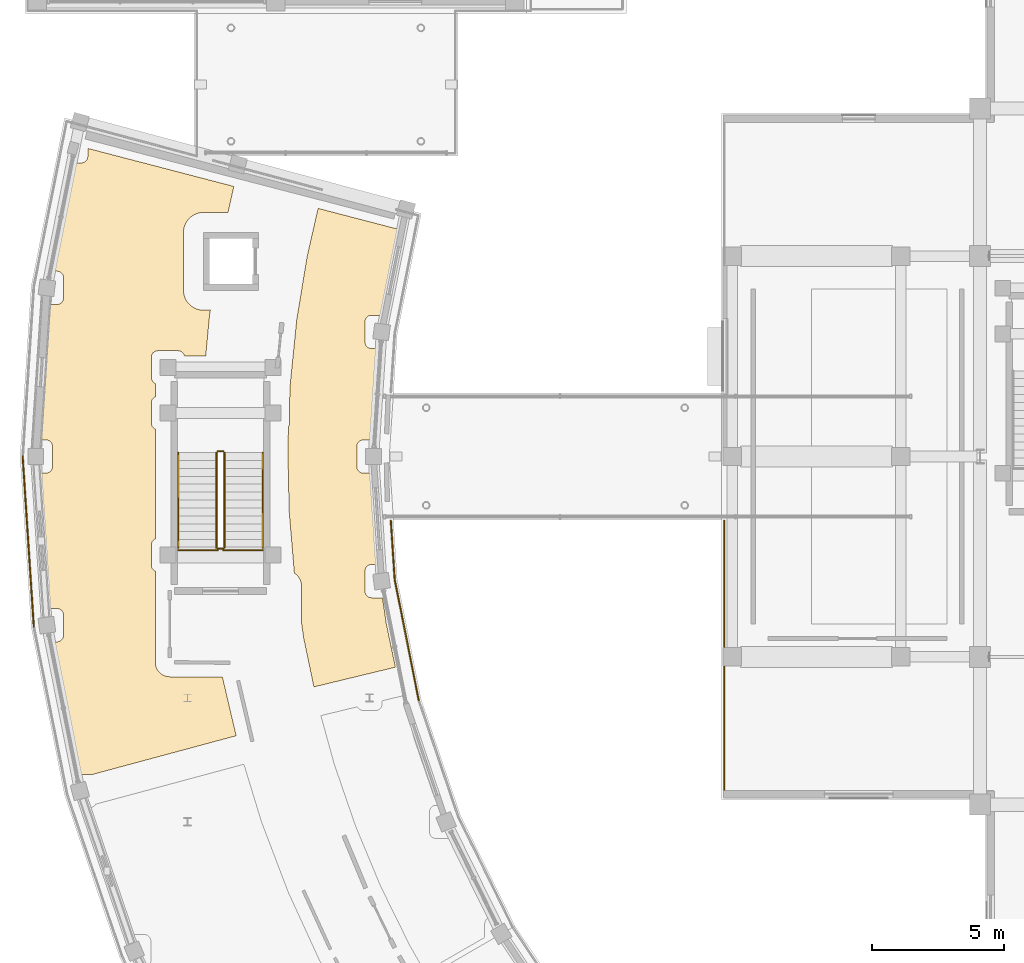
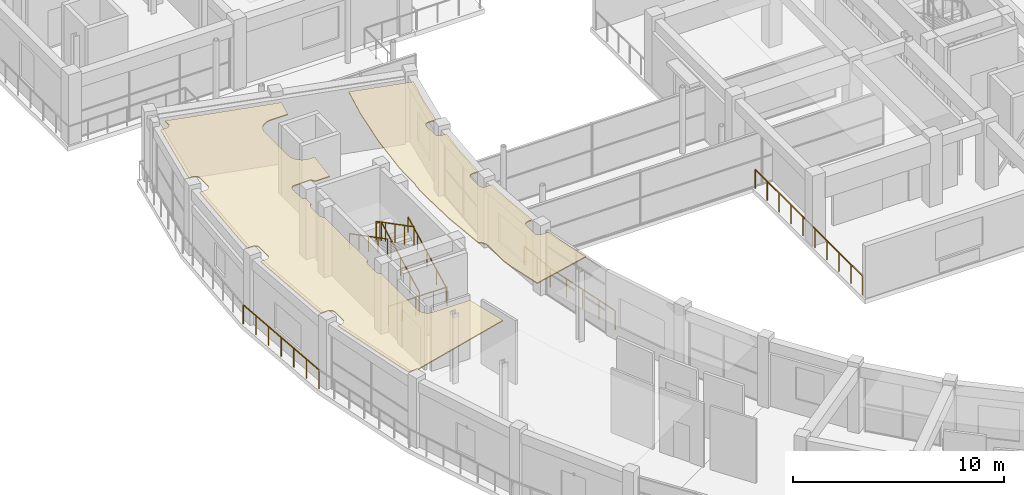
# One storey, part 59 of 70: 12 railings, 2 coverings.
"""IFC4 building model written with IfcOpenShell, lengths in metres."""

from ifc_helpers import new_model, si_unit, direction, frame, origin, origin_2d, place, context, subcontext, project, spatial, polyline, rectangle, outline, extrude, material, layer, layer_set, type_object, element, save


model = new_model("IFC4")

# Units and contexts
model_context = context("Model", 3, precision=1e-05, world=origin(), true_north=direction((0.0, 1.0)))
body_context = subcontext(model_context, "Body", "Model", "MODEL_VIEW")
ifc_project = project(units=[si_unit("LENGTHUNIT", "METRE"), si_unit("AREAUNIT", "SQUARE_METRE"), si_unit("VOLUMEUNIT", "CUBIC_METRE"), si_unit("PLANEANGLEUNIT", "RADIAN"), si_unit("MASSUNIT", "GRAM", prefix="KILO")], contexts=[model_context])

# Site, building, storey
site_placement = place(None, origin())
site = spatial("IfcSite", under=ifc_project, at=site_placement, CompositionType="ELEMENT")
building_placement = place(site_placement, origin())
building = spatial("IfcBuilding", under=site, at=building_placement, Name="Saryqyr Civic Hall", CompositionType="ELEMENT")
storey_placement = place(building_placement, frame((0.0, 0.0, 13.199951171875)))
storey = spatial("IfcBuildingStorey", under=building, at=storey_placement, Name="L03", CompositionType="ELEMENT", Elevation=13.199951171875)

# Coverings
ifc_material_1 = material(Name="Mineral-fibre acoustic ceiling tile", Category="acoustic_tile")
ifc_layer_1 = layer(ifc_material_1, 0.06005859375, Name="Mineral-fibre acoustic ceiling tile")
ifc_layer_set_1 = layer_set([ifc_layer_1], Name="Mineral-fibre acoustic ceiling tile")
covering_type = type_object("IfcCoveringType", Name="INT-COV-CEIL-60", PredefinedType="CEILING", material=ifc_layer_set_1)
covering_1_placement = place(storey_placement, frame((0.0, 0.0, 3.72998046875)))
element("IfcCovering", 1, at=covering_1_placement, inside=storey, type_object=covering_type, Name="Acoustic ceiling Transport & Mobility Department Studio", PredefinedType="CEILING", context=body_context, shape_type="SweptSolid", body=[
    extrude(outline(polyline([(12.53271484375, 76.146484375), (12.54052734375, 76.09326171875), (12.553466796875, 76.041259765625), (12.5712890625, 75.990478515625), (12.59423828125, 75.94189453125), (12.621826171875, 75.895751953125), (12.653564453125, 75.8525390625), (12.689453125, 75.812744140625), (12.72900390625, 75.7763671875), (12.772216796875, 75.744384765625), (12.818115234375, 75.71630859375), (12.866455078125, 75.693115234375), (12.9169921875, 75.6748046875), (12.968994140625, 75.661376953125), (13.02197265625, 75.653076171875), (13.075439453125, 75.64990234375), (15.078369140625, 75.6337890625), (15.085693359375, 75.589599609375), (15.0927734375, 75.5546875), (15.595947265625, 73.413330078125), (10.119384765625, 71.937744140625), (10.098388671875, 71.943115234375), (10.07421875, 71.94677734375), (10.049560546875, 71.947998046875), (9.595947265625, 71.947998046875), (9.467529296875, 72.49462890625), (8.67138671875, 76.496826171875), (8.59130859375, 76.97412109375), (8.79931640625, 76.97412109375), (8.82373046875, 76.975341796875), (8.847900390625, 76.97900390625), (8.871826171875, 76.985107421875), (8.89501953125, 76.9931640625), (8.9169921875, 77.003662109375), (8.93798828125, 77.016357421875), (8.957763671875, 77.031005859375), (8.97607421875, 77.04736328125), (8.992431640625, 77.065673828125), (9.007080078125, 77.085205078125), (9.019775390625, 77.1064453125), (9.0302734375, 77.12841796875), (9.038330078125, 77.151611328125), (9.04443359375, 77.17529296875), (9.048095703125, 77.19970703125), (9.04931640625, 77.22412109375), (9.04931640625, 77.984130859375), (9.048095703125, 78.0087890625), (9.04443359375, 78.032958984375), (9.038330078125, 78.056884765625), (9.0302734375, 78.079833984375), (9.019775390625, 78.10205078125), (9.007080078125, 78.123046875), (8.992431640625, 78.142822265625), (8.97607421875, 78.160888671875), (8.957763671875, 78.177490234375), (8.93798828125, 78.192138671875), (8.9169921875, 78.20458984375), (8.89501953125, 78.215087890625), (8.871826171875, 78.223388671875), (8.847900390625, 78.2294921875), (8.82373046875, 78.23291015625), (8.79931640625, 78.234130859375), (8.429931640625, 78.234130859375), (8.37158203125, 78.808837890625), (8.103515625, 82.900634765625), (8.086181640625, 83.3701171875), (8.3798828125, 83.3701171875), (8.404541015625, 83.37109375), (8.4287109375, 83.374755859375), (8.45263671875, 83.380859375), (8.4755859375, 83.388916015625), (8.497802734375, 83.3994140625), (8.518798828125, 83.412109375), (8.53857421875, 83.4267578125), (8.556884765625, 83.443115234375), (8.5732421875, 83.46142578125), (8.587890625, 83.481201171875), (8.6005859375, 83.502197265625), (8.611083984375, 83.5244140625), (8.619140625, 83.54736328125), (8.625244140625, 83.5712890625), (8.62890625, 83.595458984375), (8.6298828125, 83.6201171875), (8.6298828125, 84.3798828125), (8.62890625, 84.404541015625), (8.625244140625, 84.4287109375), (8.619140625, 84.45263671875), (8.611083984375, 84.4755859375), (8.6005859375, 84.497802734375), (8.587890625, 84.518798828125), (8.5732421875, 84.53857421875), (8.556884765625, 84.556884765625), (8.53857421875, 84.5732421875), (8.518798828125, 84.587890625), (8.497802734375, 84.6005859375), (8.4755859375, 84.611083984375), (8.45263671875, 84.619140625), (8.4287109375, 84.625244140625), (8.404541015625, 84.62890625), (8.3798828125, 84.6298828125), (8.09423828125, 84.6298828125), (8.110595703125, 85.20703125), (8.429931640625, 89.765869140625), (8.79931640625, 89.765869140625), (8.82373046875, 89.76708984375), (8.847900390625, 89.7705078125), (8.871826171875, 89.776611328125), (8.89501953125, 89.784912109375), (8.9169921875, 89.79541015625), (8.93798828125, 89.807861328125), (8.957763671875, 89.822509765625), (8.97607421875, 89.839111328125), (8.992431640625, 89.857177734375), (9.007080078125, 89.876953125), (9.019775390625, 89.89794921875), (9.0302734375, 89.920166015625), (9.038330078125, 89.943115234375), (9.04443359375, 89.967041015625), (9.048095703125, 89.9912109375), (9.04931640625, 90.015869140625), (9.04931640625, 90.77587890625), (9.048095703125, 90.80029296875), (9.04443359375, 90.82470703125), (9.038330078125, 90.848388671875), (9.0302734375, 90.87158203125), (9.019775390625, 90.8935546875), (9.007080078125, 90.914794921875), (8.992431640625, 90.934326171875), (8.97607421875, 90.95263671875), (8.957763671875, 90.968994140625), (8.93798828125, 90.983642578125), (8.9169921875, 90.996337890625), (8.89501953125, 91.0068359375), (8.871826171875, 91.014892578125), (8.847900390625, 91.02099609375), (8.82373046875, 91.024658203125), (8.79931640625, 91.02587890625), (8.5986328125, 91.02587890625), (8.6875, 91.58447265625), (9.4072265625, 95.133056640625), (9.719482421875, 95.133056640625), (9.743896484375, 95.13427734375), (9.768310546875, 95.137939453125), (9.7919921875, 95.143798828125), (9.815185546875, 95.152099609375), (9.837158203125, 95.16259765625), (9.8583984375, 95.17529296875), (9.8779296875, 95.189697265625), (9.896240234375, 95.206298828125), (9.91259765625, 95.224609375), (9.92724609375, 95.244140625), (9.93994140625, 95.265380859375), (9.950439453125, 95.287353515625), (9.95849609375, 95.310546875), (9.964599609375, 95.334228515625), (9.96826171875, 95.358642578125), (9.969482421875, 95.383056640625), (9.969482421875, 95.68212890625), (15.5087890625, 94.2392578125), (15.284912109375, 93.25), (14.35009765625, 93.25), (14.330322265625, 93.24951171875), (14.296142578125, 93.247802734375), (14.257080078125, 93.243896484375), (14.222900390625, 93.239013671875), (14.1845703125, 93.231201171875), (14.151123046875, 93.222900390625), (14.113525390625, 93.21142578125), (14.081298828125, 93.199951171875), (14.044921875, 93.18505859375), (14.013916015625, 93.17041015625), (13.9794921875, 93.15185546875), (13.949951171875, 93.134033203125), (13.917236328125, 93.1123046875), (13.8896484375, 93.091796875), (13.859375, 93.06689453125), (13.833984375, 93.0439453125), (13.80615234375, 93.01611328125), (13.783203125, 92.99072265625), (13.75830078125, 92.960205078125), (13.73779296875, 92.9326171875), (13.7158203125, 92.900146484375), (13.6982421875, 92.87060546875), (13.6796875, 92.8359375), (13.6650390625, 92.804931640625), (13.64990234375, 92.768798828125), (13.638427734375, 92.736328125), (13.627197265625, 92.69873046875), (13.61865234375, 92.66552734375), (13.611083984375, 92.626953125), (13.60595703125, 92.593017578125), (13.602294921875, 92.553955078125), (13.6005859375, 92.51953125), (13.60009765625, 92.5), (13.60009765625, 90.300048828125), (13.6005859375, 90.280517578125), (13.602294921875, 90.24609375), (13.60595703125, 90.20703125), (13.611083984375, 90.173095703125), (13.61865234375, 90.134521484375), (13.627197265625, 90.101318359375), (13.638427734375, 90.063720703125), (13.64990234375, 90.03125), (13.6650390625, 89.9951171875), (13.6796875, 89.964111328125), (13.6982421875, 89.929443359375), (13.7158203125, 89.89990234375), (13.73779296875, 89.8671875), (13.75830078125, 89.839599609375), (13.783203125, 89.809326171875), (13.80615234375, 89.783935546875), (13.833984375, 89.756103515625), (13.859375, 89.733154296875), (13.8896484375, 89.708251953125), (13.917236328125, 89.687744140625), (13.949951171875, 89.666015625), (13.9794921875, 89.648193359375), (14.013916015625, 89.629638671875), (14.044921875, 89.614990234375), (14.081298828125, 89.60009765625), (14.113525390625, 89.58837890625), (14.151123046875, 89.5771484375), (14.1845703125, 89.568603515625), (14.222900390625, 89.56103515625), (14.257080078125, 89.555908203125), (14.296142578125, 89.55224609375), (14.330322265625, 89.550537109375), (14.35009765625, 89.550048828125), (14.617919921875, 89.550048828125), (14.587646484375, 89.36083984375), (14.583251953125, 89.325439453125), (14.443115234375, 87.820068359375), (13.63232421875, 87.820068359375), (13.629150390625, 87.83251953125), (13.62109375, 87.855712890625), (13.610595703125, 87.877685546875), (13.597900390625, 87.89892578125), (13.583251953125, 87.918701171875), (13.56689453125, 87.936767578125), (13.548583984375, 87.953369140625), (13.52880859375, 87.968017578125), (13.5078125, 87.98046875), (13.485595703125, 87.990966796875), (13.462646484375, 87.999267578125), (13.438720703125, 88.005126953125), (13.41455078125, 88.0087890625), (13.389892578125, 88.010009765625), (12.6298828125, 88.010009765625), (12.60546875, 88.0087890625), (12.581298828125, 88.005126953125), (12.557373046875, 87.999267578125), (12.5341796875, 87.990966796875), (12.51220703125, 87.98046875), (12.4912109375, 87.968017578125), (12.471435546875, 87.953369140625), (12.453125, 87.936767578125), (12.436767578125, 87.918701171875), (12.422119140625, 87.89892578125), (12.409423828125, 87.877685546875), (12.39892578125, 87.855712890625), (12.390869140625, 87.83251953125), (12.384765625, 87.808837890625), (12.381103515625, 87.784423828125), (12.3798828125, 87.760009765625), (12.3798828125, 87.0), (12.381103515625, 86.9755859375), (12.384765625, 86.951171875), (12.390869140625, 86.927490234375), (12.39892578125, 86.904296875), (12.409423828125, 86.882080078125), (12.422119140625, 86.861083984375), (12.436767578125, 86.84130859375), (12.453125, 86.8232421875), (12.471435546875, 86.806640625), (12.4912109375, 86.7919921875), (12.51220703125, 86.779541015625), (12.530029296875, 86.77099609375), (12.530029296875, 86.2587890625), (12.51220703125, 86.25048828125), (12.4912109375, 86.23779296875), (12.471435546875, 86.223388671875), (12.453125, 86.206787109375), (12.436767578125, 86.188720703125), (12.422119140625, 86.1689453125), (12.409423828125, 86.147705078125), (12.39892578125, 86.125732421875), (12.390869140625, 86.1025390625), (12.384765625, 86.078857421875), (12.381103515625, 86.054443359375), (12.3798828125, 86.030029296875), (12.3798828125, 85.27001953125), (12.381103515625, 85.24560546875), (12.384765625, 85.22119140625), (12.390869140625, 85.197509765625), (12.39892578125, 85.17431640625), (12.409423828125, 85.152099609375), (12.422119140625, 85.131103515625), (12.436767578125, 85.111328125), (12.453125, 85.09326171875), (12.471435546875, 85.07666015625), (12.4912109375, 85.06201171875), (12.51220703125, 85.049560546875), (12.530029296875, 85.041015625), (12.530029296875, 80.873779296875), (12.51220703125, 80.865478515625), (12.4912109375, 80.852783203125), (12.471435546875, 80.83837890625), (12.453125, 80.82177734375), (12.436767578125, 80.8037109375), (12.422119140625, 80.783935546875), (12.409423828125, 80.7626953125), (12.39892578125, 80.74072265625), (12.390869140625, 80.717529296875), (12.384765625, 80.69384765625), (12.381103515625, 80.66943359375), (12.3798828125, 80.64501953125), (12.3798828125, 79.885009765625), (12.381103515625, 79.860595703125), (12.384765625, 79.836181640625), (12.390869140625, 79.8125), (12.39892578125, 79.789306640625), (12.409423828125, 79.76708984375), (12.422119140625, 79.74609375), (12.436767578125, 79.726318359375), (12.453125, 79.708251953125), (12.471435546875, 79.691650390625), (12.4912109375, 79.677001953125), (12.51220703125, 79.66455078125), (12.530029296875, 79.656005859375), (12.530029296875, 79.0), (12.530029296875, 78.99609375), (12.530029296875, 76.199951171875), (12.53271484375, 76.146484375)])), origin(), (0.0, 0.0, 1.0), 0.06005859375),
])
covering_2_placement = place(storey_placement, frame((0.0, 0.0, 3.72998046875)))
element("IfcCovering", 2, at=covering_2_placement, inside=storey, type_object=covering_type, Name="Acoustic ceiling Standing Committee Room 3 (Ecology & Parks)", PredefinedType="CEILING", context=body_context, shape_type="SweptSolid", body=[
    extrude(outline(polyline([(17.5830078125, 85.139892578125), (17.590576171875, 85.152099609375), (17.60107421875, 85.17431640625), (17.609130859375, 85.197509765625), (17.615234375, 85.22119140625), (17.618896484375, 85.24560546875), (17.6201171875, 85.27001953125), (17.6201171875, 86.030029296875), (17.619140625, 86.048583984375), (17.647705078125, 86.77001953125), (17.892333984375, 89.18408203125), (18.284912109375, 91.578369140625), (18.701904296875, 93.40771484375), (21.77880859375, 92.606201171875), (21.408935546875, 90.984130859375), (21.402587890625, 90.950927734375), (21.140869140625, 89.35498046875), (20.729736328125, 89.35498046875), (20.705078125, 89.353759765625), (20.680908203125, 89.35009765625), (20.656982421875, 89.34423828125), (20.634033203125, 89.3359375), (20.61181640625, 89.325439453125), (20.5908203125, 89.31298828125), (20.571044921875, 89.29833984375), (20.552978515625, 89.28173828125), (20.536376953125, 89.263671875), (20.521728515625, 89.243896484375), (20.50927734375, 89.222900390625), (20.498779296875, 89.20068359375), (20.490478515625, 89.177490234375), (20.484619140625, 89.15380859375), (20.48095703125, 89.12939453125), (20.479736328125, 89.10498046875), (20.479736328125, 88.344970703125), (20.48095703125, 88.320556640625), (20.484619140625, 88.296142578125), (20.490478515625, 88.2724609375), (20.498779296875, 88.249267578125), (20.50927734375, 88.227294921875), (20.521728515625, 88.2060546875), (20.536376953125, 88.186279296875), (20.552978515625, 88.168212890625), (20.571044921875, 88.151611328125), (20.5908203125, 88.13720703125), (20.61181640625, 88.12451171875), (20.634033203125, 88.114013671875), (20.656982421875, 88.105712890625), (20.680908203125, 88.099853515625), (20.705078125, 88.09619140625), (20.729736328125, 88.094970703125), (20.976318359375, 88.094970703125), (20.821044921875, 86.563720703125), (20.818603515625, 86.52978515625), (20.743408203125, 84.6298828125), (20.419921875, 84.6298828125), (20.3955078125, 84.62890625), (20.37109375, 84.625244140625), (20.347412109375, 84.619140625), (20.32421875, 84.611083984375), (20.30224609375, 84.6005859375), (20.281005859375, 84.587890625), (20.261474609375, 84.5732421875), (20.2431640625, 84.556884765625), (20.226806640625, 84.53857421875), (20.212158203125, 84.518798828125), (20.199462890625, 84.497802734375), (20.18896484375, 84.4755859375), (20.180908203125, 84.45263671875), (20.1748046875, 84.4287109375), (20.171142578125, 84.404541015625), (20.169921875, 84.3798828125), (20.169921875, 83.6201171875), (20.171142578125, 83.595458984375), (20.1748046875, 83.5712890625), (20.180908203125, 83.54736328125), (20.18896484375, 83.5244140625), (20.199462890625, 83.502197265625), (20.212158203125, 83.481201171875), (20.226806640625, 83.46142578125), (20.2431640625, 83.443115234375), (20.261474609375, 83.4267578125), (20.281005859375, 83.412109375), (20.30224609375, 83.3994140625), (20.32421875, 83.388916015625), (20.347412109375, 83.380859375), (20.37109375, 83.374755859375), (20.3955078125, 83.37109375), (20.419921875, 83.3701171875), (20.751953125, 83.3701171875), (20.77978515625, 82.1044921875), (20.781494140625, 82.07080078125), (20.962890625, 79.905029296875), (20.729736328125, 79.905029296875), (20.705078125, 79.90380859375), (20.680908203125, 79.900146484375), (20.656982421875, 79.894287109375), (20.634033203125, 79.885986328125), (20.61181640625, 79.87548828125), (20.5908203125, 79.86279296875), (20.571044921875, 79.848388671875), (20.552978515625, 79.831787109375), (20.536376953125, 79.813720703125), (20.521728515625, 79.7939453125), (20.50927734375, 79.772705078125), (20.498779296875, 79.750732421875), (20.490478515625, 79.7275390625), (20.484619140625, 79.703857421875), (20.48095703125, 79.679443359375), (20.479736328125, 79.655029296875), (20.479736328125, 78.89501953125), (20.48095703125, 78.87060546875), (20.484619140625, 78.84619140625), (20.490478515625, 78.822509765625), (20.498779296875, 78.79931640625), (20.50927734375, 78.777099609375), (20.521728515625, 78.756103515625), (20.536376953125, 78.736328125), (20.552978515625, 78.71826171875), (20.571044921875, 78.70166015625), (20.5908203125, 78.68701171875), (20.61181640625, 78.674560546875), (20.634033203125, 78.6640625), (20.656982421875, 78.65576171875), (20.680908203125, 78.64990234375), (20.705078125, 78.646240234375), (20.729736328125, 78.64501953125), (21.144287109375, 78.64501953125), (21.2861328125, 77.673828125), (21.2919921875, 77.640625), (21.63330078125, 76.01220703125), (18.54296875, 75.264892578125), (18.158203125, 77.10107421875), (18.070068359375, 77.705078125), (18.069580078125, 79.10400390625), (18.06689453125, 79.15869140625), (18.05859375, 79.212890625), (18.045166015625, 79.26611328125), (18.0263671875, 79.3173828125), (18.002685546875, 79.366943359375), (17.97412109375, 79.41357421875), (17.94091796875, 79.457275390625), (17.90380859375, 79.49755859375), (17.86279296875, 79.53369140625), (17.818359375, 79.56591796875), (17.801513671875, 79.575439453125), (17.60498046875, 81.919921875), (17.5517578125, 84.345703125), (17.5830078125, 85.139892578125)])), origin(), (0.0, 0.0, 1.0), 0.06005859375),
])

# Railings
ifc_material_2 = material(Name="Warm brushed brass and laminated glass", Category="glass")
ifc_layer_2 = layer(ifc_material_2, 0.06005859375, Name="Warm brushed brass and laminated glass")
ifc_layer_set_2 = layer_set([ifc_layer_2], Name="Warm brushed brass and laminated glass")
railing_type_1 = type_object("IfcRailingType", Name="INT-RLG-BAL-1100", PredefinedType="BALUSTRADE", material=ifc_layer_set_2)
railing_1_placement = place(storey_placement, frame((15.14990234375, 80.550048828125, 0.15576171875)))
element("IfcRailing", 3, at=railing_1_placement, inside=storey, type_object=railing_type_1, Name="L03 ST-4 stair guard 1", PredefinedType="BALUSTRADE", context=body_context, shape_type="SweptSolid", body=[
    extrude(rectangle(XDim=0.048095703125, YDim=0.048095703125, at=origin_2d()), frame((0.0, 0.0, 1.076171875), z_axis=(0.0, 0.887472880572, 0.460859942119), x_axis=(-1.0, 0.0, 0.0)), (0.0, 0.0, 1.0), 4.056396484375),
    extrude(rectangle(XDim=0.0419921875, YDim=0.0419921875, at=origin_2d()), origin(), (0.0, 0.0, 1.0), 1.052001953125),
    extrude(rectangle(XDim=0.0419921875, YDim=0.0419921875, at=origin_2d()), frame((0.0, 0.89990234375, 0.46728515625)), (0.0, 0.0, 1.0), 1.052001953125),
    extrude(rectangle(XDim=0.0419921875, YDim=0.0419921875, at=origin_2d()), frame((0.0, 1.7998046875, 0.9345703125)), (0.0, 0.0, 1.0), 1.052001953125),
    extrude(rectangle(XDim=0.0419921875, YDim=0.0419921875, at=origin_2d()), frame((0.0, 2.699951171875, 1.402099609375)), (0.0, 0.0, 1.0), 1.052001953125),
    extrude(rectangle(XDim=0.0419921875, YDim=0.0419921875, at=origin_2d()), frame((0.0, 3.599853515625, 1.869384765625)), (0.0, 0.0, 1.0), 1.052001953125),
])
railing_2_placement = place(storey_placement, frame((15.10009765625, 84.199951171875, 2.025146484375)))
element("IfcRailing", 4, at=railing_2_placement, inside=storey, type_object=railing_type_1, Name="L03 ST-4 stair guard 2", PredefinedType="BALUSTRADE", context=body_context, shape_type="SweptSolid", body=[
    extrude(rectangle(XDim=0.048095703125, YDim=0.048095703125, at=origin_2d()), frame((0.0, 0.0, 1.076171875), z_axis=(-1.0, 0.0, 0.0), x_axis=(0.0, -1.0, 0.0)), (0.0, 0.0, 1.0), 0.2001953125),
    extrude(rectangle(XDim=0.0419921875, YDim=0.0419921875, at=origin_2d()), origin(), (0.0, 0.0, 1.0), 1.052001953125),
    extrude(rectangle(XDim=0.0419921875, YDim=0.0419921875, at=origin_2d()), frame((-0.2001953125, 0.0, 0.0)), (0.0, 0.0, 1.0), 1.052001953125),
])
railing_3_placement = place(storey_placement, frame((14.85009765625, 84.14990234375, 2.180908203125)))
element("IfcRailing", 5, at=railing_3_placement, inside=storey, type_object=railing_type_1, Name="L03 ST-4 stair guard 3", PredefinedType="BALUSTRADE", context=body_context, shape_type="SweptSolid", body=[
    extrude(rectangle(XDim=0.048095703125, YDim=0.048095703125, at=origin_2d()), frame((0.0, 0.0, 1.076171875), z_axis=(0.0, -0.887497496945, 0.460812535545), x_axis=(1.0, 0.0, 0.0)), (0.0, 0.0, 1.0), 4.05615234375),
    extrude(rectangle(XDim=0.0419921875, YDim=0.0419921875, at=origin_2d()), origin(), (0.0, 0.0, 1.0), 1.052001953125),
    extrude(rectangle(XDim=0.0419921875, YDim=0.0419921875, at=origin_2d()), frame((0.0, -0.89990234375, 0.46728515625)), (0.0, 0.0, 1.0), 1.052001953125),
    extrude(rectangle(XDim=0.0419921875, YDim=0.0419921875, at=origin_2d()), frame((0.0, -1.7998046875, 0.9345703125)), (0.0, 0.0, 1.0), 1.052001953125),
    extrude(rectangle(XDim=0.0419921875, YDim=0.0419921875, at=origin_2d()), frame((0.0, -2.699951171875, 1.40185546875)), (0.0, 0.0, 1.0), 1.052001953125),
    extrude(rectangle(XDim=0.0419921875, YDim=0.0419921875, at=origin_2d()), frame((0.0, -3.599853515625, 1.869140625)), (0.0, 0.0, 1.0), 1.052001953125),
])
railing_4_placement = place(storey_placement, frame((15.10009765625, 80.5, 0.0)))
element("IfcRailing", 6, at=railing_4_placement, inside=storey, type_object=railing_type_1, Name="L03 ST-4 stair guard 4", PredefinedType="BALUSTRADE", context=body_context, shape_type="SweptSolid", body=[
    extrude(rectangle(XDim=0.048095703125, YDim=0.048095703125, at=origin_2d()), frame((0.0, 0.0, 1.076171875), z_axis=(-1.0, 0.0, 0.0), x_axis=(0.0, -1.0, 0.0)), (0.0, 0.0, 1.0), 0.2001953125),
    extrude(rectangle(XDim=0.0419921875, YDim=0.0419921875, at=origin_2d()), origin(), (0.0, 0.0, 1.0), 1.052001953125),
    extrude(rectangle(XDim=0.0419921875, YDim=0.0419921875, at=origin_2d()), frame((-0.2001953125, 0.0, 0.0)), (0.0, 0.0, 1.0), 1.052001953125),
])
railing_5_placement = place(storey_placement, frame((7.923583984375, 77.5390625, 0.0)))
element("IfcRailing", 7, at=railing_5_placement, inside=storey, type_object=railing_type_1, Name="Interior deck safety balustrade L03-010", PredefinedType="BALUSTRADE", context=body_context, shape_type="SweptSolid", body=[
    extrude(rectangle(XDim=0.048095703125, YDim=0.048095703125, at=origin_2d()), frame((0.0, 0.0, 1.09619140625), z_axis=(-0.0653827723, 0.997860257294, 0.0), x_axis=(-0.997860257294, -0.0653827723, 0.0)), (0.0, 0.0, 1.0), 6.474853515625),
    extrude(rectangle(XDim=0.0419921875, YDim=0.0419921875, at=origin_2d()), origin(), (0.0, 0.0, 1.0), 1.072021484375),
    extrude(rectangle(XDim=0.0419921875, YDim=0.0419921875, at=origin_2d()), frame((-0.070556640625, 1.076904296875, 0.0)), (0.0, 0.0, 1.0), 1.072021484375),
    extrude(rectangle(XDim=0.0419921875, YDim=0.0419921875, at=origin_2d()), frame((-0.14111328125, 2.153564453125, 0.0)), (0.0, 0.0, 1.0), 1.072021484375),
    extrude(rectangle(XDim=0.0419921875, YDim=0.0419921875, at=origin_2d()), frame((-0.211669921875, 3.23046875, 0.0)), (0.0, 0.0, 1.0), 1.072021484375),
    extrude(rectangle(XDim=0.0419921875, YDim=0.0419921875, at=origin_2d()), frame((-0.2822265625, 4.307373046875, 0.0)), (0.0, 0.0, 1.0), 1.072021484375),
    extrude(rectangle(XDim=0.0419921875, YDim=0.0419921875, at=origin_2d()), frame((-0.352783203125, 5.384033203125, 0.0)), (0.0, 0.0, 1.0), 1.072021484375),
    extrude(rectangle(XDim=0.0419921875, YDim=0.0419921875, at=origin_2d()), frame((-0.42333984375, 6.4609375, 0.0)), (0.0, 0.0, 1.0), 1.072021484375),
])
railing_6_placement = place(storey_placement, frame((34.10009765625, 71.364990234375, 0.0)))
element("IfcRailing", 8, at=railing_6_placement, inside=storey, type_object=railing_type_1, Name="Interior deck safety balustrade L03-085", PredefinedType="BALUSTRADE", context=body_context, shape_type="SweptSolid", body=[
    extrude(rectangle(XDim=0.048095703125, YDim=0.048095703125, at=origin_2d()), frame((0.0, 0.0, 1.09619140625), z_axis=(0.0, 1.0, 0.0), x_axis=(-1.0, 0.0, 0.0)), (0.0, 0.0, 1.0), 10.195068359375),
    extrude(rectangle(XDim=0.0419921875, YDim=0.0419921875, at=origin_2d()), origin(), (0.0, 0.0, 1.0), 1.072021484375),
    extrude(rectangle(XDim=0.0419921875, YDim=0.0419921875, at=origin_2d()), frame((0.0, 1.1328125, 0.0)), (0.0, 0.0, 1.0), 1.072021484375),
    extrude(rectangle(XDim=0.0419921875, YDim=0.0419921875, at=origin_2d()), frame((0.0, 2.265625, 0.0)), (0.0, 0.0, 1.0), 1.072021484375),
    extrude(rectangle(XDim=0.0419921875, YDim=0.0419921875, at=origin_2d()), frame((0.0, 3.3984375, 0.0)), (0.0, 0.0, 1.0), 1.072021484375),
    extrude(rectangle(XDim=0.0419921875, YDim=0.0419921875, at=origin_2d()), frame((0.0, 4.53125, 0.0)), (0.0, 0.0, 1.0), 1.072021484375),
    extrude(rectangle(XDim=0.0419921875, YDim=0.0419921875, at=origin_2d()), frame((0.0, 5.663818359375, 0.0)), (0.0, 0.0, 1.0), 1.072021484375),
    extrude(rectangle(XDim=0.0419921875, YDim=0.0419921875, at=origin_2d()), frame((0.0, 6.796630859375, 0.0)), (0.0, 0.0, 1.0), 1.072021484375),
    extrude(rectangle(XDim=0.0419921875, YDim=0.0419921875, at=origin_2d()), frame((0.0, 7.929443359375, 0.0)), (0.0, 0.0, 1.0), 1.072021484375),
    extrude(rectangle(XDim=0.0419921875, YDim=0.0419921875, at=origin_2d()), frame((0.0, 9.062255859375, 0.0)), (0.0, 0.0, 1.0), 1.072021484375),
    extrude(rectangle(XDim=0.0419921875, YDim=0.0419921875, at=origin_2d()), frame((0.0, 10.195068359375, 0.0)), (0.0, 0.0, 1.0), 1.072021484375),
])
railing_7_placement = place(storey_placement, frame((21.459716796875, 81.56005859375, 0.0)))
element("IfcRailing", 9, at=railing_7_placement, inside=storey, type_object=railing_type_1, Name="Interior deck safety balustrade L03-086", PredefinedType="BALUSTRADE", context=body_context, shape_type="SweptSolid", body=[
    extrude(rectangle(XDim=0.048095703125, YDim=0.048095703125, at=origin_2d()), frame((0.0, 0.0, 1.09619140625), z_axis=(0.065404581712, -0.997858828037, 0.0), x_axis=(0.997858828037, 0.065404581712, 0.0)), (0.0, 0.0, 1.0), 2.224853515625),
    extrude(rectangle(XDim=0.0419921875, YDim=0.0419921875, at=origin_2d()), origin(), (0.0, 0.0, 1.0), 1.072021484375),
    extrude(rectangle(XDim=0.0419921875, YDim=0.0419921875, at=origin_2d()), frame((0.07275390625, -1.10986328125, 0.0)), (0.0, 0.0, 1.0), 1.072021484375),
    extrude(rectangle(XDim=0.0419921875, YDim=0.0419921875, at=origin_2d()), frame((0.1455078125, -2.219970703125, 0.0)), (0.0, 0.0, 1.0), 1.072021484375),
])
railing_8_placement = place(storey_placement, frame((21.605224609375, 79.340087890625, 0.0)))
element("IfcRailing", 10, at=railing_8_placement, inside=storey, type_object=railing_type_1, Name="Interior deck safety balustrade L03-087", PredefinedType="BALUSTRADE", context=body_context, shape_type="SweptSolid", body=[
    extrude(rectangle(XDim=0.048095703125, YDim=0.048095703125, at=origin_2d()), frame((0.0, 0.0, 1.09619140625), z_axis=(0.19506034779, -0.980791242171, 0.0), x_axis=(0.980791242171, 0.19506034779, 0.0)), (0.0, 0.0, 1.0), 4.669677734375),
    extrude(rectangle(XDim=0.0419921875, YDim=0.0419921875, at=origin_2d()), origin(), (0.0, 0.0, 1.0), 1.072021484375),
    extrude(rectangle(XDim=0.0419921875, YDim=0.0419921875, at=origin_2d()), frame((0.227783203125, -1.14501953125, 0.0)), (0.0, 0.0, 1.0), 1.072021484375),
    extrude(rectangle(XDim=0.0419921875, YDim=0.0419921875, at=origin_2d()), frame((0.45556640625, -2.2900390625, 0.0)), (0.0, 0.0, 1.0), 1.072021484375),
    extrude(rectangle(XDim=0.0419921875, YDim=0.0419921875, at=origin_2d()), frame((0.68310546875, -3.43505859375, 0.0)), (0.0, 0.0, 1.0), 1.072021484375),
    extrude(rectangle(XDim=0.0419921875, YDim=0.0419921875, at=origin_2d()), frame((0.910888671875, -4.580078125, 0.0)), (0.0, 0.0, 1.0), 1.072021484375),
])
for number, where, name in (
    (11, (13.39501953125, 80.449951171875, 0.0), "Interior deck safety balustrade L03-102"),
    (12, (15.10009765625, 80.449951171875, 0.0), "Interior deck safety balustrade L03-103"),
):
    element("IfcRailing", number, at=place(storey_placement, frame(where)), inside=storey, type_object=railing_type_1, Name=name, PredefinedType="BALUSTRADE", context=body_context, shape_type="SweptSolid", body=[
        extrude(rectangle(XDim=0.048095703125, YDim=0.048095703125, at=origin_2d()), frame((0.0, 0.0, 1.09619140625), z_axis=(1.0, 0.0, 0.0), x_axis=(0.0, 1.0, 0.0)), (0.0, 0.0, 1.0), 1.5048828125),
        extrude(rectangle(XDim=0.0419921875, YDim=0.0419921875, at=origin_2d()), origin(), (0.0, 0.0, 1.0), 1.072021484375),
        extrude(rectangle(XDim=0.0419921875, YDim=0.0419921875, at=origin_2d()), frame((0.75244140625, 0.0, 0.0)), (0.0, 0.0, 1.0), 1.072021484375),
        extrude(rectangle(XDim=0.0419921875, YDim=0.0419921875, at=origin_2d()), frame((1.5048828125, 0.0, 0.0)), (0.0, 0.0, 1.0), 1.072021484375),
    ])
ifc_material_3 = material(Name="Stainless steel", Category="steel")
ifc_layer_3 = layer(ifc_material_3, 0.050048828125, Name="Stainless steel")
ifc_layer_set_3 = layer_set([ifc_layer_3], Name="Stainless steel")
railing_type_2 = type_object("IfcRailingType", Name="INT-RLG-HND-900", PredefinedType="HANDRAIL", material=ifc_layer_set_3)
railing_9_placement = place(storey_placement, frame((16.60009765625, 80.550048828125, 0.15576171875)))
element("IfcRailing", 13, at=railing_9_placement, inside=storey, type_object=railing_type_2, Name="L03 ST-4 stair handrail 1", PredefinedType="HANDRAIL", context=body_context, shape_type="SweptSolid", body=[
    extrude(rectangle(XDim=0.048095703125, YDim=0.048095703125, at=origin_2d()), frame((0.0, 0.0, 0.8759765625), z_axis=(0.0, 0.887472880572, 0.460859942119), x_axis=(-1.0, 0.0, 0.0)), (0.0, 0.0, 1.0), 4.056396484375),
    extrude(rectangle(XDim=0.0419921875, YDim=0.0419921875, at=origin_2d()), origin(), (0.0, 0.0, 1.0), 0.851806640625),
    extrude(rectangle(XDim=0.0419921875, YDim=0.0419921875, at=origin_2d()), frame((0.0, 0.89990234375, 0.46728515625)), (0.0, 0.0, 1.0), 0.851806640625),
    extrude(rectangle(XDim=0.0419921875, YDim=0.0419921875, at=origin_2d()), frame((0.0, 1.7998046875, 0.9345703125)), (0.0, 0.0, 1.0), 0.851806640625),
    extrude(rectangle(XDim=0.0419921875, YDim=0.0419921875, at=origin_2d()), frame((0.0, 2.699951171875, 1.402099609375)), (0.0, 0.0, 1.0), 0.851806640625),
    extrude(rectangle(XDim=0.0419921875, YDim=0.0419921875, at=origin_2d()), frame((0.0, 3.599853515625, 1.869384765625)), (0.0, 0.0, 1.0), 0.851806640625),
])
railing_10_placement = place(storey_placement, frame((13.39990234375, 84.14990234375, 2.180908203125)))
element("IfcRailing", 14, at=railing_10_placement, inside=storey, type_object=railing_type_2, Name="L03 ST-4 stair handrail 2", PredefinedType="HANDRAIL", context=body_context, shape_type="SweptSolid", body=[
    extrude(rectangle(XDim=0.048095703125, YDim=0.048095703125, at=origin_2d()), frame((0.0, 0.0, 0.8759765625), z_axis=(0.0, -0.887497496945, 0.460812535545), x_axis=(1.0, 0.0, 0.0)), (0.0, 0.0, 1.0), 4.05615234375),
    extrude(rectangle(XDim=0.0419921875, YDim=0.0419921875, at=origin_2d()), origin(), (0.0, 0.0, 1.0), 0.851806640625),
    extrude(rectangle(XDim=0.0419921875, YDim=0.0419921875, at=origin_2d()), frame((0.0, -0.89990234375, 0.46728515625)), (0.0, 0.0, 1.0), 0.851806640625),
    extrude(rectangle(XDim=0.0419921875, YDim=0.0419921875, at=origin_2d()), frame((0.0, -1.7998046875, 0.9345703125)), (0.0, 0.0, 1.0), 0.851806640625),
    extrude(rectangle(XDim=0.0419921875, YDim=0.0419921875, at=origin_2d()), frame((0.0, -2.699951171875, 1.40185546875)), (0.0, 0.0, 1.0), 0.851806640625),
    extrude(rectangle(XDim=0.0419921875, YDim=0.0419921875, at=origin_2d()), frame((0.0, -3.599853515625, 1.869140625)), (0.0, 0.0, 1.0), 0.851806640625),
])

save(model, "model.ifc")
